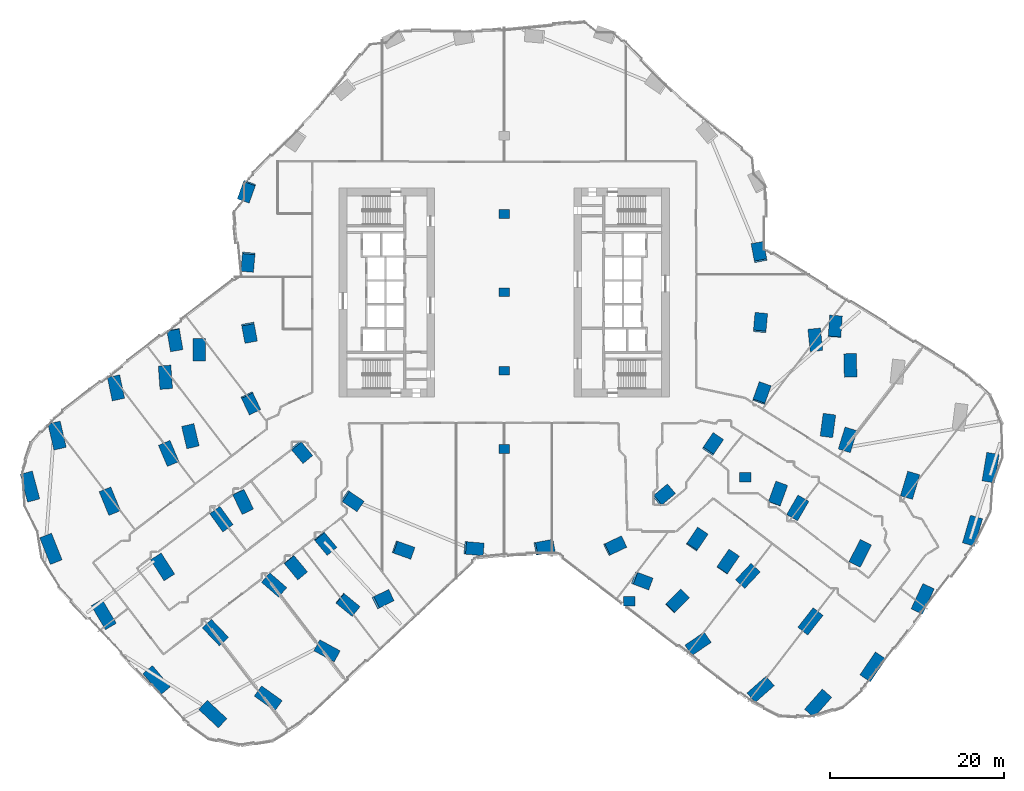
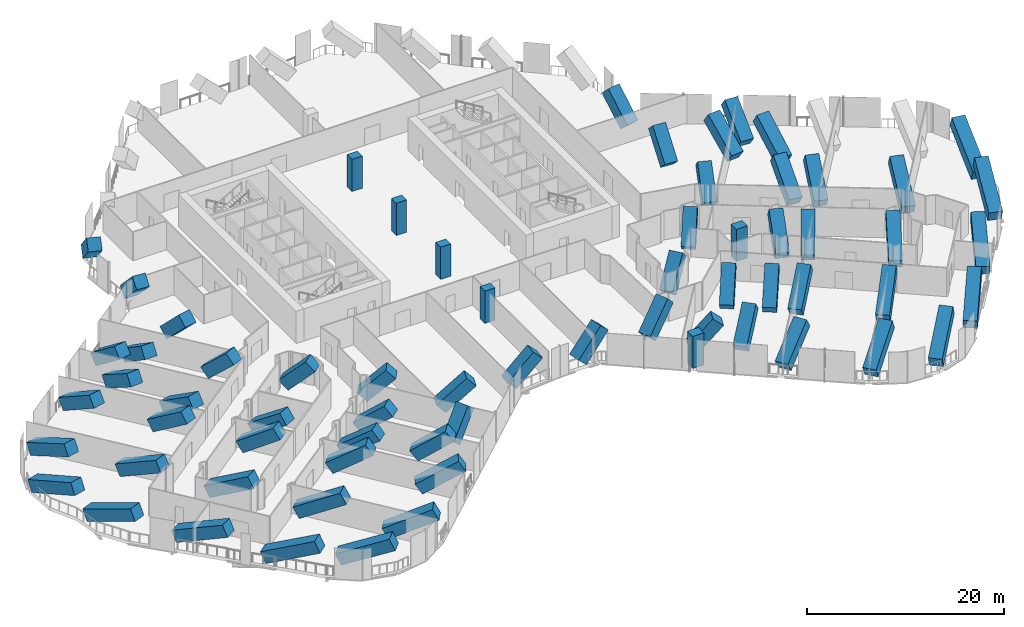
# One storey, part 1 of 32: 67 columns.
"""IFC4 building model written with IfcOpenShell, lengths in metres."""

from ifc_helpers import new_model, si_unit, direction, frame, origin, origin_2d, place, context, subcontext, project, spatial, rectangle, extrude, material, material_profile, profile_set, type_object, element, save


model = new_model("IFC4")

# Units and contexts
model_context = context("Model", 3, precision=1e-05, world=origin(), true_north=direction((0.0, 1.0)))
body_context = subcontext(model_context, "Body", "Model", "MODEL_VIEW")
ifc_project = project(units=[si_unit("LENGTHUNIT", "METRE"), si_unit("AREAUNIT", "SQUARE_METRE"), si_unit("VOLUMEUNIT", "CUBIC_METRE"), si_unit("PLANEANGLEUNIT", "RADIAN"), si_unit("MASSUNIT", "GRAM", prefix="KILO")], contexts=[model_context])

# Site, building, storey
site_placement = place(None, origin())
site = spatial("IfcSite", under=ifc_project, at=site_placement, CompositionType="ELEMENT")
building_placement = place(site_placement, origin())
building = spatial("IfcBuilding", under=site, at=building_placement, Name="Orlundy Tower", CompositionType="ELEMENT")
storey_placement = place(building_placement, frame((0.0, 0.0, 33.300048828125)))
storey = spatial("IfcBuildingStorey", under=building, at=storey_placement, Name="L06", CompositionType="ELEMENT", Elevation=33.300048828125)

# Columns
ifc_material_1 = material(Name="Concrete C80/95", Category="concrete")
ifc_material_profile_1 = material_profile(ifc_material_1, rectangle(XDim=1.199951171875, YDim=1.0, at=origin_2d()), Name="RC1200X1000")
ifc_profile_set_1 = profile_set([ifc_material_profile_1], Name="Concrete C80/95")
column_type_1 = type_object("IfcColumnType", Name="RC COLUMN RC1200X1000 C80/95", PredefinedType="COLUMN", material=ifc_profile_set_1)
for number, where, z_axis, x_axis, name in (
    (1, (0.0, -18.0, 0.0), (0.0, 0.0, 1.0), (1.0, 0.0, 0.0), "Column C-M1 L06"),
    (2, (0.0, -9.0, 0.0), (0.0, 0.0, 1.0), (1.0, 0.0, 0.0), "Column C-M2 L06"),
    (3, (0.0, 0.0, 0.0), (0.0, 0.0, 1.0), (1.0, 0.0, 0.0), "Column C-M3 L06"),
    (4, (0.0, 9.0, 0.0), (0.0, 0.0, 1.0), (1.0, 0.0, 0.0), "Column C-M4 L06"),
):
    element("IfcColumn", number, at=place(storey_placement, frame(where, z_axis=z_axis, x_axis=x_axis)), inside=storey, type_object=column_type_1, Name=name, PredefinedType="COLUMN", context=body_context, shape_type="SweptSolid", body=[
        extrude(rectangle(XDim=1.199951171875, YDim=1.0, at=origin_2d()), origin(), (0.0, 0.0, 1.0), 4.0),
    ])
ifc_material_2 = material(Name="Concrete C80/95", Category="concrete")
ifc_material_profile_2 = material_profile(ifc_material_2, rectangle(XDim=1.300048828125, YDim=1.10009765625, at=origin_2d()), Name="RC1300X1100")
ifc_profile_set_2 = profile_set([ifc_material_profile_2], Name="Concrete C80/95")
column_type_2 = type_object("IfcColumnType", Name="RC COLUMN RC1300X1100 C80/95", PredefinedType="COLUMN", material=ifc_profile_set_2)
for number, where, z_axis, x_axis, name in (
    (5, (14.37109375, -35.47998046875, 0.0), (0.0, 0.0, 1.0), (1.0, 0.0, 0.0), "Column C-A1-1 L06"),
    (6, (27.68798828125, -21.24609375, 0.0), (0.0, 0.0, 1.0), (1.0, 0.0, 0.0), "Column C-A3-7 L06"),
):
    element("IfcColumn", number, at=place(storey_placement, frame(where, z_axis=z_axis, x_axis=x_axis)), inside=storey, type_object=column_type_2, Name=name, PredefinedType="COLUMN", context=body_context, shape_type="SweptSolid", body=[
        extrude(rectangle(XDim=1.300048828125, YDim=1.10009765625, at=origin_2d()), origin(), (0.0, 0.0, 1.0), 4.0),
    ])
ifc_material_3 = material(Name="Concrete C80/95", Category="concrete")
ifc_material_profile_3 = material_profile(ifc_material_3, rectangle(XDim=1.449951171875, YDim=1.449951171875, at=origin_2d()), Name="RC1450X1450")
ifc_profile_set_3 = profile_set([ifc_material_profile_3], Name="Concrete C80/95")
column_type_3 = type_object("IfcColumnType", Name="RC COLUMN RC1450X1450 C80/95", PredefinedType="COLUMN", material=ifc_profile_set_3)
column_1_placement = place(storey_placement, frame((21.48388671875, -40.93896484375, 0.614501953125), z_axis=(0.699835860941, 0.478306093724, 0.530521487263), x_axis=(-0.564258796598, 0.82559797145, 0.0)))
element("IfcColumn", 7, at=column_1_placement, inside=storey, type_object=column_type_3, Name="Column C-A1-2 L06 strut", PredefinedType="COLUMN", context=body_context, shape_type="SweptSolid", body=[
    extrude(rectangle(XDim=1.449951171875, YDim=1.449951171875, at=origin_2d()), origin(), (0.0, 0.0, 1.0), 5.22265625),
])
column_2_placement = place(storey_placement, frame((28.597900390625, -46.39697265625, 0.641357421875), z_axis=(0.66484395057, 0.583878759436, 0.465905693967), x_axis=(-0.659873498397, 0.751376713848, 0.0)))
element("IfcColumn", 8, at=column_2_placement, inside=storey, type_object=column_type_3, Name="Column C-A1-3 L06 strut", PredefinedType="COLUMN", context=body_context, shape_type="SweptSolid", body=[
    extrude(rectangle(XDim=1.449951171875, YDim=1.449951171875, at=origin_2d()), origin(), (0.0, 0.0, 1.0), 5.831787109375),
])
column_3_placement = place(storey_placement, frame((35.23095703125, -48.200927734375, 0.654541015625), z_axis=(0.596874433276, 0.677513116755, 0.429787025777), x_axis=(-0.750349304535, 0.661041542706, 0.0)))
element("IfcColumn", 9, at=column_3_placement, inside=storey, type_object=column_type_3, Name="Column C-A1-5 L06 strut", PredefinedType="COLUMN", context=body_context, shape_type="SweptSolid", body=[
    extrude(rectangle(XDim=1.449951171875, YDim=1.449951171875, at=origin_2d()), origin(), (0.0, 0.0, 1.0), 6.260986328125),
])
column_4_placement = place(storey_placement, frame((19.364013671875, -36.02587890625, 0.573974609375), z_axis=(0.559599128352, 0.560226540249, 0.610733198008), x_axis=(-0.707502845384, 0.706710495021, 0.0)))
element("IfcColumn", 10, at=column_4_placement, inside=storey, type_object=column_type_3, Name="Column C-A1-6 L06 strut", PredefinedType="COLUMN", context=body_context, shape_type="SweptSolid", body=[
    extrude(rectangle(XDim=1.449951171875, YDim=1.449951171875, at=origin_2d()), origin(), (0.0, 0.0, 1.0), 4.66943359375),
])
column_5_placement = place(storey_placement, frame((15.39697265625, -32.98193359375, 0.465576171875), z_axis=(0.601168412717, -0.226284205253, 0.766415029866), x_axis=(0.352277915525, 0.93589543766, 0.0)))
element("IfcColumn", 11, at=column_5_placement, inside=storey, type_object=column_type_3, Name="Column C-A1-7 L06 strut", PredefinedType="COLUMN", context=body_context, shape_type="SweptSolid", body=[
    extrude(rectangle(XDim=1.449951171875, YDim=1.449951171875, at=origin_2d()), origin(), (0.0, 0.0, 1.0), 4.00390625),
])
column_6_placement = place(storey_placement, frame((27.388916015625, -33.242919921875, 0.6025390625), z_axis=(0.569969065996, 0.605170324437, 0.555791455699), x_axis=(-0.727961612842, 0.685617889373, 0.0)))
element("IfcColumn", 12, at=column_6_placement, inside=storey, type_object=column_type_3, Name="Column C-A2-2 L06 strut", PredefinedType="COLUMN", context=body_context, shape_type="SweptSolid", body=[
    extrude(rectangle(XDim=1.449951171875, YDim=1.449951171875, at=origin_2d()), origin(), (0.0, 0.0, 1.0), 5.0283203125),
])
column_7_placement = place(storey_placement, frame((34.5029296875, -38.701904296875, 0.636962890625), z_axis=(0.541117976568, 0.69200623164, 0.477827072073), x_axis=(-0.78775473141, 0.615989028426, 0.0)))
element("IfcColumn", 13, at=column_7_placement, inside=storey, type_object=column_type_3, Name="Column C-A2-3 L06 strut", PredefinedType="COLUMN", context=body_context, shape_type="SweptSolid", body=[
    extrude(rectangle(XDim=1.449951171875, YDim=1.449951171875, at=origin_2d()), origin(), (0.0, 0.0, 1.0), 5.705078125),
])
column_8_placement = place(storey_placement, frame((41.616943359375, -44.159912109375, 0.659423828125), z_axis=(0.512352155116, 0.751659115504, 0.415335819823), x_axis=(-0.826300348435, 0.563229734811, 0.0)))
element("IfcColumn", 14, at=column_8_placement, inside=storey, type_object=column_type_3, Name="Column C-A2-5 L06 strut", PredefinedType="COLUMN", context=body_context, shape_type="SweptSolid", body=[
    extrude(rectangle(XDim=1.449951171875, YDim=1.449951171875, at=origin_2d()), origin(), (0.0, 0.0, 1.0), 6.454833984375),
])
column_9_placement = place(storey_placement, frame((25.27392578125, -31.6201171875, 0.583251953125), z_axis=(0.450601018397, 0.666355112745, 0.594078770819), x_axis=(-0.828380682455, 0.560165551364, 0.0)))
element("IfcColumn", 15, at=column_9_placement, inside=storey, type_object=column_type_3, Name="Column C-A2-6 L06 strut", PredefinedType="COLUMN", context=body_context, shape_type="SweptSolid", body=[
    extrude(rectangle(XDim=1.449951171875, YDim=1.449951171875, at=origin_2d()), origin(), (0.0, 0.0, 1.0), 4.76953125),
])
column_10_placement = place(storey_placement, frame((21.782958984375, -28.94091796875, 0.552001953125), z_axis=(0.425847814082, 0.631092139827, 0.648364365376), x_axis=(-0.828933559632, 0.559347078044, 0.0)))
element("IfcColumn", 16, at=column_10_placement, inside=storey, type_object=column_type_3, Name="Column C-A2-7 L06 strut", PredefinedType="COLUMN", context=body_context, shape_type="SweptSolid", body=[
    extrude(rectangle(XDim=1.449951171875, YDim=1.449951171875, at=origin_2d()), origin(), (0.0, 0.0, 1.0), 4.466552734375),
])
column_11_placement = place(storey_placement, frame((33.2939453125, -25.548095703125, 0.600830078125), z_axis=(0.415263925558, 0.717340610475, 0.559444653825), x_axis=(-0.865446442826, 0.501001451695, 0.0)))
element("IfcColumn", 17, at=column_11_placement, inside=storey, type_object=column_type_3, Name="Column C-A3-2 L06 strut", PredefinedType="COLUMN", context=body_context, shape_type="SweptSolid", body=[
    extrude(rectangle(XDim=1.449951171875, YDim=1.449951171875, at=origin_2d()), origin(), (0.0, 0.0, 1.0), 5.001953125),
])
column_12_placement = place(storey_placement, frame((40.407958984375, -31.006103515625, 0.637939453125), z_axis=(0.400711857271, 0.78345915449, 0.474996590187), x_axis=(-0.890307002668, 0.455360781141, 0.0)))
element("IfcColumn", 18, at=column_12_placement, inside=storey, type_object=column_type_3, Name="Column C-A3-3 L06 strut", PredefinedType="COLUMN", context=body_context, shape_type="SweptSolid", body=[
    extrude(rectangle(XDim=1.449951171875, YDim=1.449951171875, at=origin_2d()), origin(), (0.0, 0.0, 1.0), 5.735107421875),
])
column_13_placement = place(storey_placement, frame((47.52197265625, -36.465087890625, 0.6611328125), z_axis=(0.385700751852, 0.82653899246, 0.409961246905), x_axis=(-0.90619046906, 0.422869759837, 0.0)))
element("IfcColumn", 19, at=column_13_placement, inside=storey, type_object=column_type_3, Name="Column C-A3-5 L06 strut", PredefinedType="COLUMN", context=body_context, shape_type="SweptSolid", body=[
    extrude(rectangle(XDim=1.449951171875, YDim=1.449951171875, at=origin_2d()), origin(), (0.0, 0.0, 1.0), 6.531005859375),
])
column_14_placement = place(storey_placement, frame((31.178955078125, -23.924072265625, 0.5908203125), z_axis=(0.279657049767, 0.765530427024, 0.579443784862), x_axis=(-0.939287067036, 0.343132344292, 0.0)))
element("IfcColumn", 20, at=column_14_placement, inside=storey, type_object=column_type_3, Name="Column C-A3-6 L06 strut", PredefinedType="COLUMN", context=body_context, shape_type="SweptSolid", body=[
    extrude(rectangle(XDim=1.449951171875, YDim=1.449951171875, at=origin_2d()), origin(), (0.0, 0.0, 1.0), 4.863525390625),
])
column_15_placement = place(storey_placement, frame((39.198974609375, -17.85205078125, 0.610107421875), z_axis=(0.25036864759, 0.80335307715, 0.540314143566), x_axis=(-0.954709488998, 0.297539563114, 0.0)))
element("IfcColumn", 21, at=column_15_placement, inside=storey, type_object=column_type_3, Name="Column C-A4-2 L06 strut", PredefinedType="COLUMN", context=body_context, shape_type="SweptSolid", body=[
    extrude(rectangle(XDim=1.449951171875, YDim=1.449951171875, at=origin_2d()), origin(), (0.0, 0.0, 1.0), 5.144775390625),
])
column_16_placement = place(storey_placement, frame((46.31298828125, -23.31103515625, 0.644287109375), z_axis=(0.255000909498, 0.851515737267, 0.458143520463), x_axis=(-0.957966687466, 0.286879461978, 0.0)))
element("IfcColumn", 22, at=column_16_placement, inside=storey, type_object=column_type_3, Name="Column C-A4-3 L06 strut", PredefinedType="COLUMN", context=body_context, shape_type="SweptSolid", body=[
    extrude(rectangle(XDim=1.449951171875, YDim=1.449951171875, at=origin_2d()), origin(), (0.0, 0.0, 1.0), 5.917724609375),
])
column_17_placement = place(storey_placement, frame((53.427001953125, -28.76904296875, 0.665771484375), z_axis=(0.256655259317, 0.881704625679, 0.39588512339), x_axis=(-0.960148736075, 0.279489542942, 0.0)))
element("IfcColumn", 23, at=column_17_placement, inside=storey, type_object=column_type_3, Name="Column C-A4-5 L06 strut", PredefinedType="COLUMN", context=body_context, shape_type="SweptSolid", body=[
    extrude(rectangle(XDim=1.449951171875, YDim=1.449951171875, at=origin_2d()), origin(), (0.0, 0.0, 1.0), 6.740478515625),
])
column_18_placement = place(storey_placement, frame((37.083984375, -16.22900390625, 0.60888671875), z_axis=(0.111371211993, 0.832593849041, 0.54257159498), x_axis=(-0.991171870731, 0.132583266936, 0.0)))
element("IfcColumn", 24, at=column_18_placement, inside=storey, type_object=column_type_3, Name="Column C-A4-6 L06 strut", PredefinedType="COLUMN", context=body_context, shape_type="SweptSolid", body=[
    extrude(rectangle(XDim=1.449951171875, YDim=1.449951171875, at=origin_2d()), origin(), (0.0, 0.0, 1.0), 5.12744140625),
])
column_19_placement = place(storey_placement, frame((37.990966796875, -4.697998046875, 0.579833984375), z_axis=(0.05877094081, 0.797612996518, 0.600299495503), x_axis=(-0.997296372794, 0.073484316769, 0.0)))
element("IfcColumn", 25, at=column_19_placement, inside=storey, type_object=column_type_3, Name="Column C-A5-1 L06 strut", PredefinedType="COLUMN", context=body_context, shape_type="SweptSolid", body=[
    extrude(rectangle(XDim=1.449951171875, YDim=1.449951171875, at=origin_2d()), origin(), (0.0, 0.0, 1.0), 4.7314453125),
])
column_20_placement = place(storey_placement, frame((55.677001953125, -21.554931640625, 0.666259765625), z_axis=(0.148964077478, 0.906712741166, 0.394565214672), x_axis=(-0.986771549623, 0.162116960419, 0.0)))
element("IfcColumn", 26, at=column_20_placement, inside=storey, type_object=column_type_3, Name="Column C-A5-5 L06 strut", PredefinedType="COLUMN", context=body_context, shape_type="SweptSolid", body=[
    extrude(rectangle(XDim=1.449951171875, YDim=1.449951171875, at=origin_2d()), origin(), (0.0, 0.0, 1.0), 6.760498046875),
])
column_21_placement = place(storey_placement, frame((39.81005859375, -9.3798828125, 0.617919921875), z_axis=(-0.022355527015, 0.852096616474, 0.522906862267), x_axis=(-0.999656016178, -0.026226881604, 0.0)))
element("IfcColumn", 27, at=column_21_placement, inside=storey, type_object=column_type_3, Name="Column C-A5-6 L06 strut", PredefinedType="COLUMN", context=body_context, shape_type="SweptSolid", body=[
    extrude(rectangle(XDim=1.449951171875, YDim=1.449951171875, at=origin_2d()), origin(), (0.0, 0.0, 1.0), 5.28564453125),
])
column_22_placement = place(storey_placement, frame((35.843017578125, -6.3359375, 0.599365234375), z_axis=(-0.080107774453, 0.822894121297, 0.562519341541), x_axis=(-0.995295018117, -0.096890798904, 0.0)))
element("IfcColumn", 28, at=column_22_placement, inside=storey, type_object=column_type_3, Name="Column C-A5-7 L06 strut", PredefinedType="COLUMN", context=body_context, shape_type="SweptSolid", body=[
    extrude(rectangle(XDim=1.449951171875, YDim=1.449951171875, at=origin_2d()), origin(), (0.0, 0.0, 1.0), 4.97998046875),
])
column_23_placement = place(storey_placement, frame((-37.990966796875, -4.697998046875, 0.579833984375), z_axis=(0.137353584737, -0.787899789229, 0.600289859063), x_axis=(0.985142543064, 0.171738667298, 0.0)))
element("IfcColumn", 29, at=column_23_placement, inside=storey, type_object=column_type_3, Name="Column C-B1-1 L06 strut", PredefinedType="COLUMN", context=body_context, shape_type="SweptSolid", body=[
    extrude(rectangle(XDim=1.449951171875, YDim=1.449951171875, at=origin_2d()), origin(), (0.0, 0.0, 1.0), 4.731689453125),
])
column_24_placement = place(storey_placement, frame((-44.840087890625, -9.9541015625, 0.6259765625), z_axis=(0.175985891109, -0.845431202961, 0.504256925773), x_axis=(0.979014073613, 0.20379264871, 0.0)))
element("IfcColumn", 30, at=column_24_placement, inside=storey, type_object=column_type_3, Name="Column C-B1-2 L06 strut", PredefinedType="COLUMN", context=body_context, shape_type="SweptSolid", body=[
    extrude(rectangle(XDim=1.449951171875, YDim=1.449951171875, at=origin_2d()), origin(), (0.0, 0.0, 1.0), 5.44921875),
])
column_25_placement = place(storey_placement, frame((-51.68701171875, -15.2119140625, 0.654052734375), z_axis=(0.20296345223, -0.878973423379, 0.431522372598), x_axis=(0.974361208205, 0.224989412964, 0.0)))
element("IfcColumn", 31, at=column_25_placement, inside=storey, type_object=column_type_3, Name="Column C-B1-3 L06 strut", PredefinedType="COLUMN", context=body_context, shape_type="SweptSolid", body=[
    extrude(rectangle(XDim=1.449951171875, YDim=1.449951171875, at=origin_2d()), origin(), (0.0, 0.0, 1.0), 6.238037109375),
])
column_26_placement = place(storey_placement, frame((-54.884033203125, -20.946044921875, 0.666259765625), z_axis=(0.237851709207, -0.887565661499, 0.394529797296), x_axis=(0.965917879508, 0.258848701071, 0.0)))
element("IfcColumn", 32, at=column_26_placement, inside=storey, type_object=column_type_3, Name="Column C-B1-5 L06 strut", PredefinedType="COLUMN", context=body_context, shape_type="SweptSolid", body=[
    extrude(rectangle(XDim=1.449951171875, YDim=1.449951171875, at=origin_2d()), origin(), (0.0, 0.0, 1.0), 6.76123046875),
])
column_27_placement = place(storey_placement, frame((-39.01611328125, -8.77099609375, 0.617919921875), z_axis=(0.06189008129, -0.85015725844, 0.522878813647), x_axis=(0.997360682952, 0.072606253879, 0.0)))
element("IfcColumn", 33, at=column_27_placement, inside=storey, type_object=column_type_3, Name="Column C-B1-6 L06 strut", PredefinedType="COLUMN", context=body_context, shape_type="SweptSolid", body=[
    extrude(rectangle(XDim=1.449951171875, YDim=1.449951171875, at=origin_2d()), origin(), (0.0, 0.0, 1.0), 5.285888671875),
])
column_28_placement = place(storey_placement, frame((-35.050048828125, -5.72705078125, 0.599365234375), z_axis=(0.001617929852, -0.826762154334, 0.562549306697), x_axis=(0.999998085184, 0.001956943415, 0.0)))
element("IfcColumn", 34, at=column_28_placement, inside=storey, type_object=column_type_3, Name="Column C-B1-7 L06 strut", PredefinedType="COLUMN", context=body_context, shape_type="SweptSolid", body=[
    extrude(rectangle(XDim=1.449951171875, YDim=1.449951171875, at=origin_2d()), origin(), (0.0, 0.0, 1.0), 4.9794921875),
])
column_29_placement = place(storey_placement, frame((-38.93505859375, -17.64892578125, 0.610107421875), z_axis=(0.328456976926, -0.774735201136, 0.540278985737), x_axis=(0.920675138709, 0.390329718267, 0.0)))
element("IfcColumn", 35, at=column_29_placement, inside=storey, type_object=column_type_3, Name="Column C-B2-2 L06 strut", PredefinedType="COLUMN", context=body_context, shape_type="SweptSolid", body=[
    extrude(rectangle(XDim=1.449951171875, YDim=1.449951171875, at=origin_2d()), origin(), (0.0, 0.0, 1.0), 5.14501953125),
])
column_30_placement = place(storey_placement, frame((-45.783935546875, -22.905029296875, 0.644287109375), z_axis=(0.337825549268, -0.822160444585, 0.45817693266), x_axis=(0.924959508437, 0.380065662422, 0.0)))
element("IfcColumn", 36, at=column_30_placement, inside=storey, type_object=column_type_3, Name="Column C-B2-3 L06 strut", PredefinedType="COLUMN", context=body_context, shape_type="SweptSolid", body=[
    extrude(rectangle(XDim=1.449951171875, YDim=1.449951171875, at=origin_2d()), origin(), (0.0, 0.0, 1.0), 5.917236328125),
])
column_31_placement = place(storey_placement, frame((-52.633056640625, -28.160888671875, 0.665771484375), z_axis=(0.342432498317, -0.852060724604, 0.395894563846), x_axis=(0.927871568112, 0.372899923692, 0.0)))
element("IfcColumn", 37, at=column_31_placement, inside=storey, type_object=column_type_3, Name="Column C-B2-5 L06 strut", PredefinedType="COLUMN", context=body_context, shape_type="SweptSolid", body=[
    extrude(rectangle(XDim=1.449951171875, YDim=1.449951171875, at=origin_2d()), origin(), (0.0, 0.0, 1.0), 6.740234375),
])
column_32_placement = place(storey_placement, frame((-36.2900390625, -15.6201171875, 0.60888671875), z_axis=(0.193103863156, -0.817465083831, 0.542643284997), x_axis=(0.973215294327, 0.229895608674, 0.0)))
element("IfcColumn", 38, at=column_32_placement, inside=storey, type_object=column_type_3, Name="Column C-B2-6 L06 strut", PredefinedType="COLUMN", context=body_context, shape_type="SweptSolid", body=[
    extrude(rectangle(XDim=1.449951171875, YDim=1.449951171875, at=origin_2d()), origin(), (0.0, 0.0, 1.0), 5.126708984375),
])
column_33_placement = place(storey_placement, frame((-33.030029296875, -25.344970703125, 0.600830078125), z_axis=(0.484075605361, -0.672785526742, 0.559491236125), x_axis=(0.811723079597, 0.584042500208, 0.0)))
element("IfcColumn", 39, at=column_33_placement, inside=storey, type_object=column_type_3, Name="Column C-B3-2 L06 strut", PredefinedType="COLUMN", context=body_context, shape_type="SweptSolid", body=[
    extrude(rectangle(XDim=1.449951171875, YDim=1.449951171875, at=origin_2d()), origin(), (0.0, 0.0, 1.0), 5.00146484375),
])
column_34_placement = place(storey_placement, frame((-39.87890625, -30.60009765625, 0.637939453125), z_axis=(0.476003991751, -0.740143212715, 0.474982341259), x_axis=(0.841076298964, 0.540916499397, 0.0)))
element("IfcColumn", 40, at=column_34_placement, inside=storey, type_object=column_type_3, Name="Column C-B3-3 L06 strut", PredefinedType="COLUMN", context=body_context, shape_type="SweptSolid", body=[
    extrude(rectangle(XDim=1.449951171875, YDim=1.449951171875, at=origin_2d()), origin(), (0.0, 0.0, 1.0), 5.735107421875),
])
column_35_placement = place(storey_placement, frame((-46.72900390625, -35.85595703125, 0.6611328125), z_axis=(0.465465031922, -0.78439754496, 0.409954626171), x_axis=(0.859985150882, 0.510319057319, 0.0)))
element("IfcColumn", 41, at=column_35_placement, inside=storey, type_object=column_type_3, Name="Column C-B3-5 L06 strut", PredefinedType="COLUMN", context=body_context, shape_type="SweptSolid", body=[
    extrude(rectangle(XDim=1.449951171875, YDim=1.449951171875, at=origin_2d()), origin(), (0.0, 0.0, 1.0), 6.53125),
])
column_36_placement = place(storey_placement, frame((-30.385009765625, -23.31591796875, 0.5908203125), z_axis=(0.353875242444, -0.734106635021, 0.579534089768), x_axis=(0.90080181457, 0.434230458244, 0.0)))
element("IfcColumn", 42, at=column_36_placement, inside=storey, type_object=column_type_3, Name="Column C-B3-6 L06 strut", PredefinedType="COLUMN", context=body_context, shape_type="SweptSolid", body=[
    extrude(rectangle(XDim=1.449951171875, YDim=1.449951171875, at=origin_2d()), origin(), (0.0, 0.0, 1.0), 4.863037109375),
])
column_37_placement = place(storey_placement, frame((-27.125, -33.0400390625, 0.6025390625), z_axis=(0.626915434331, -0.545922874152, 0.555828439066), x_axis=(0.656712169931, 0.754141316906, 0.0)))
element("IfcColumn", 43, at=column_37_placement, inside=storey, type_object=column_type_3, Name="Column C-B4-2 L06 strut", PredefinedType="COLUMN", context=body_context, shape_type="SweptSolid", body=[
    extrude(rectangle(XDim=1.449951171875, YDim=1.449951171875, at=origin_2d()), origin(), (0.0, 0.0, 1.0), 5.02783203125),
])
column_38_placement = place(storey_placement, frame((-33.97412109375, -38.2958984375, 0.636962890625), z_axis=(0.606713355896, -0.635258027433, 0.477855775689), x_axis=(0.723167492828, 0.690672699125, 0.0)))
element("IfcColumn", 44, at=column_38_placement, inside=storey, type_object=column_type_3, Name="Column C-B4-3 L06 strut", PredefinedType="COLUMN", context=body_context, shape_type="SweptSolid", body=[
    extrude(rectangle(XDim=1.449951171875, YDim=1.449951171875, at=origin_2d()), origin(), (0.0, 0.0, 1.0), 5.704833984375),
])
column_39_placement = place(storey_placement, frame((-40.823974609375, -43.552001953125, 0.659423828125), z_axis=(0.584139953455, -0.697367651282, 0.415281679975), x_axis=(0.766596805008, 0.642128755431, 0.0)))
element("IfcColumn", 45, at=column_39_placement, inside=storey, type_object=column_type_3, Name="Column C-B4-5 L06 strut", PredefinedType="COLUMN", context=body_context, shape_type="SweptSolid", body=[
    extrude(rectangle(XDim=1.449951171875, YDim=1.449951171875, at=origin_2d()), origin(), (0.0, 0.0, 1.0), 6.45556640625),
])
column_40_placement = place(storey_placement, frame((-24.47998046875, -31.010986328125, 0.5830078125), z_axis=(0.514125147633, -0.618557618127, 0.594190041678), x_axis=(0.769039707257, 0.639201008026, 0.0)))
element("IfcColumn", 46, at=column_40_placement, inside=storey, type_object=column_type_3, Name="Column C-B4-6 L06 strut", PredefinedType="COLUMN", context=body_context, shape_type="SweptSolid", body=[
    extrude(rectangle(XDim=1.449951171875, YDim=1.449951171875, at=origin_2d()), origin(), (0.0, 0.0, 1.0), 4.76904296875),
])
column_41_placement = place(storey_placement, frame((-20.989990234375, -28.3330078125, 0.552001953125), z_axis=(0.48599783766, -0.586072291187, 0.648325050644), x_axis=(0.769766563569, 0.638325495035, 0.0)))
element("IfcColumn", 47, at=column_41_placement, inside=storey, type_object=column_type_3, Name="Column C-B4-7 L06 strut", PredefinedType="COLUMN", context=body_context, shape_type="SweptSolid", body=[
    extrude(rectangle(XDim=1.449951171875, YDim=1.449951171875, at=origin_2d()), origin(), (0.0, 0.0, 1.0), 4.466796875),
])
column_42_placement = place(storey_placement, frame((-14.37109375, -35.47998046875, 0.465576171875), z_axis=(0.575966078213, 0.284446512266, 0.7663897562), x_axis=(-0.44280386504, 0.896618501429, 0.0)))
element("IfcColumn", 48, at=column_42_placement, inside=storey, type_object=column_type_3, Name="Column C-B5-1 L06 strut", PredefinedType="COLUMN", context=body_context, shape_type="SweptSolid", body=[
    extrude(rectangle(XDim=1.449951171875, YDim=1.449951171875, at=origin_2d()), origin(), (0.0, 0.0, 1.0), 4.00390625),
])
column_43_placement = place(storey_placement, frame((-21.219970703125, -40.736083984375, 0.614501953125), z_axis=(0.743612862638, -0.406754599494, 0.530651115432), x_axis=(0.479895272144, 0.877325782007, 0.0)))
element("IfcColumn", 49, at=column_43_placement, inside=storey, type_object=column_type_3, Name="Column C-B5-2 L06 strut", PredefinedType="COLUMN", context=body_context, shape_type="SweptSolid", body=[
    extrude(rectangle(XDim=1.449951171875, YDim=1.449951171875, at=origin_2d()), origin(), (0.0, 0.0, 1.0), 5.221923828125),
])
column_44_placement = place(storey_placement, frame((-28.072021484375, -45.988037109375, 0.641357421875), z_axis=(0.719277998117, -0.515378613328, 0.465858397314), x_axis=(0.582441324018, 0.812872747775, 0.0)))
element("IfcColumn", 50, at=column_44_placement, inside=storey, type_object=column_type_3, Name="Column C-B5-3 L06 strut", PredefinedType="COLUMN", context=body_context, shape_type="SweptSolid", body=[
    extrude(rectangle(XDim=1.449951171875, YDim=1.449951171875, at=origin_2d()), origin(), (0.0, 0.0, 1.0), 5.832275390625),
])
column_45_placement = place(storey_placement, frame((-34.43701171875, -47.592041015625, 0.654541015625), z_axis=(0.660892308039, -0.615231508422, 0.42978081416), x_axis=(0.681369867864, 0.731939275601, 0.0)))
element("IfcColumn", 51, at=column_45_placement, inside=storey, type_object=column_type_3, Name="Column C-B5-5 L06 strut", PredefinedType="COLUMN", context=body_context, shape_type="SweptSolid", body=[
    extrude(rectangle(XDim=1.449951171875, YDim=1.449951171875, at=origin_2d()), origin(), (0.0, 0.0, 1.0), 6.26123046875),
])
column_46_placement = place(storey_placement, frame((-18.570068359375, -35.4169921875, 0.573974609375), z_axis=(0.612119529002, -0.502213041434, 0.610812363356), x_axis=(0.634287264239, 0.7730974495, 0.0)))
element("IfcColumn", 52, at=column_46_placement, inside=storey, type_object=column_type_3, Name="Column C-B5-6 L06 strut", PredefinedType="COLUMN", context=body_context, shape_type="SweptSolid", body=[
    extrude(rectangle(XDim=1.449951171875, YDim=1.449951171875, at=origin_2d()), origin(), (0.0, 0.0, 1.0), 4.669189453125),
])
column_47_placement = place(storey_placement, frame((29.39990234375, 4.05908203125, 0.50830078125), z_axis=(-0.130006651481, 0.68901191234, 0.712994288353), x_axis=(-0.98266050942, -0.185413924034, 0.0)))
element("IfcColumn", 53, at=column_47_placement, inside=storey, type_object=column_type_3, Name="Column C-H02 L06 strut", PredefinedType="COLUMN", context=body_context, shape_type="SweptSolid", body=[
    extrude(rectangle(XDim=1.449951171875, YDim=1.449951171875, at=origin_2d()), origin(), (0.0, 0.0, 1.0), 4.18408203125),
])
column_48_placement = place(storey_placement, frame((29.39990234375, -4.05908203125, 0.50830078125), z_axis=(0.061436713661, 0.698558188668, 0.712910925193), x_axis=(-0.99615487667, 0.08760971228, 0.0)))
element("IfcColumn", 54, at=column_48_placement, inside=storey, type_object=column_type_3, Name="Column C-H03 L06 strut", PredefinedType="COLUMN", context=body_context, shape_type="SweptSolid", body=[
    extrude(rectangle(XDim=1.449951171875, YDim=1.449951171875, at=origin_2d()), origin(), (0.0, 0.0, 1.0), 4.1845703125),
])
column_49_placement = place(storey_placement, frame((29.39990234375, -12.177978515625, 0.529541015625), z_axis=(0.24591316534, 0.687967306264, 0.682808685229), x_axis=(-0.941650592778, 0.33659198018, 0.0)))
element("IfcColumn", 55, at=column_49_placement, inside=storey, type_object=column_type_3, Name="Column C-H04 L06 strut", PredefinedType="COLUMN", context=body_context, shape_type="SweptSolid", body=[
    extrude(rectangle(XDim=1.449951171875, YDim=1.449951171875, at=origin_2d()), origin(), (0.0, 0.0, 1.0), 4.306640625),
])
column_50_placement = place(storey_placement, frame((23.658935546875, -17.9189453125, 0.50830078125), z_axis=(0.395280825563, 0.579239562537, 0.712905742812), x_axis=(-0.825998448397, 0.563672389997, 0.0)))
element("IfcColumn", 56, at=column_50_placement, inside=storey, type_object=column_type_3, Name="Column C-H05 L06 strut", PredefinedType="COLUMN", context=body_context, shape_type="SweptSolid", body=[
    extrude(rectangle(XDim=1.449951171875, YDim=1.449951171875, at=origin_2d()), origin(), (0.0, 0.0, 1.0), 4.1845703125),
])
column_51_placement = place(storey_placement, frame((17.9189453125, -23.658935546875, 0.50830078125), z_axis=(0.537268679687, 0.450505155937, 0.713012952408), x_axis=(-0.642522431446, 0.766266875891, 0.0)))
element("IfcColumn", 57, at=column_51_placement, inside=storey, type_object=column_type_3, Name="Column C-H06 L06 strut", PredefinedType="COLUMN", context=body_context, shape_type="SweptSolid", body=[
    extrude(rectangle(XDim=1.449951171875, YDim=1.449951171875, at=origin_2d()), origin(), (0.0, 0.0, 1.0), 4.184326171875),
])
column_52_placement = place(storey_placement, frame((12.177978515625, -29.39990234375, 0.529541015625), z_axis=(0.660215598589, 0.312560635038, 0.682950373603), x_axis=(-0.427892823623, 0.903829481424, 0.0)))
element("IfcColumn", 58, at=column_52_placement, inside=storey, type_object=column_type_3, Name="Column C-H07 L06 strut", PredefinedType="COLUMN", context=body_context, shape_type="SweptSolid", body=[
    extrude(rectangle(XDim=1.449951171875, YDim=1.449951171875, at=origin_2d()), origin(), (0.0, 0.0, 1.0), 4.30615234375),
])
column_53_placement = place(storey_placement, frame((4.05908203125, -29.39990234375, 0.50830078125), z_axis=(0.68901191234, 0.130006651481, 0.712994288353), x_axis=(-0.185413924034, 0.98266050942, 0.0)))
element("IfcColumn", 59, at=column_53_placement, inside=storey, type_object=column_type_3, Name="Column C-H08 L06 strut", PredefinedType="COLUMN", context=body_context, shape_type="SweptSolid", body=[
    extrude(rectangle(XDim=1.449951171875, YDim=1.449951171875, at=origin_2d()), origin(), (0.0, 0.0, 1.0), 4.18408203125),
])
column_54_placement = place(storey_placement, frame((-4.05908203125, -29.39990234375, 0.50830078125), z_axis=(0.698558188668, -0.061436713661, 0.712910925193), x_axis=(0.08760971228, 0.99615487667, 0.0)))
element("IfcColumn", 60, at=column_54_placement, inside=storey, type_object=column_type_3, Name="Column C-H09 L06 strut", PredefinedType="COLUMN", context=body_context, shape_type="SweptSolid", body=[
    extrude(rectangle(XDim=1.449951171875, YDim=1.449951171875, at=origin_2d()), origin(), (0.0, 0.0, 1.0), 4.1845703125),
])
column_55_placement = place(storey_placement, frame((-12.177978515625, -29.39990234375, 0.529541015625), z_axis=(0.687967306264, -0.24591316534, 0.682808685229), x_axis=(0.33659198018, 0.941650592778, 0.0)))
element("IfcColumn", 61, at=column_55_placement, inside=storey, type_object=column_type_3, Name="Column C-H10 L06 strut", PredefinedType="COLUMN", context=body_context, shape_type="SweptSolid", body=[
    extrude(rectangle(XDim=1.449951171875, YDim=1.449951171875, at=origin_2d()), origin(), (0.0, 0.0, 1.0), 4.306640625),
])
column_56_placement = place(storey_placement, frame((-17.9189453125, -23.658935546875, 0.50830078125), z_axis=(0.579239562537, -0.395280825563, 0.712905742812), x_axis=(0.563672389997, 0.825998448397, 0.0)))
element("IfcColumn", 62, at=column_56_placement, inside=storey, type_object=column_type_3, Name="Column C-H11 L06 strut", PredefinedType="COLUMN", context=body_context, shape_type="SweptSolid", body=[
    extrude(rectangle(XDim=1.449951171875, YDim=1.449951171875, at=origin_2d()), origin(), (0.0, 0.0, 1.0), 4.1845703125),
])
column_57_placement = place(storey_placement, frame((-23.658935546875, -17.9189453125, 0.50830078125), z_axis=(0.450505155937, -0.537268679687, 0.713012952408), x_axis=(0.766266875891, 0.642522431446, 0.0)))
element("IfcColumn", 63, at=column_57_placement, inside=storey, type_object=column_type_3, Name="Column C-H12 L06 strut", PredefinedType="COLUMN", context=body_context, shape_type="SweptSolid", body=[
    extrude(rectangle(XDim=1.449951171875, YDim=1.449951171875, at=origin_2d()), origin(), (0.0, 0.0, 1.0), 4.184326171875),
])
column_58_placement = place(storey_placement, frame((-29.39990234375, -12.177978515625, 0.529541015625), z_axis=(0.312560635038, -0.660215598589, 0.682950373603), x_axis=(0.903829481424, 0.427892823623, 0.0)))
element("IfcColumn", 64, at=column_58_placement, inside=storey, type_object=column_type_3, Name="Column C-H13 L06 strut", PredefinedType="COLUMN", context=body_context, shape_type="SweptSolid", body=[
    extrude(rectangle(XDim=1.449951171875, YDim=1.449951171875, at=origin_2d()), origin(), (0.0, 0.0, 1.0), 4.30615234375),
])
column_59_placement = place(storey_placement, frame((-29.39990234375, -4.05908203125, 0.50830078125), z_axis=(0.130006651481, -0.68901191234, 0.712994288353), x_axis=(0.98266050942, 0.185413924034, 0.0)))
element("IfcColumn", 65, at=column_59_placement, inside=storey, type_object=column_type_3, Name="Column C-H14 L06 strut", PredefinedType="COLUMN", context=body_context, shape_type="SweptSolid", body=[
    extrude(rectangle(XDim=1.449951171875, YDim=1.449951171875, at=origin_2d()), origin(), (0.0, 0.0, 1.0), 4.18408203125),
])
column_60_placement = place(storey_placement, frame((-29.39990234375, 4.05908203125, 0.50830078125), z_axis=(-0.061436713661, -0.698558188668, 0.712910925193), x_axis=(0.99615487667, -0.08760971228, 0.0)))
element("IfcColumn", 66, at=column_60_placement, inside=storey, type_object=column_type_3, Name="Column C-H15 L06 strut", PredefinedType="COLUMN", context=body_context, shape_type="SweptSolid", body=[
    extrude(rectangle(XDim=1.449951171875, YDim=1.449951171875, at=origin_2d()), origin(), (0.0, 0.0, 1.0), 4.1845703125),
])
column_61_placement = place(storey_placement, frame((-29.39990234375, 12.177978515625, 0.529541015625), z_axis=(-0.24591316534, -0.687967306264, 0.682808685229), x_axis=(0.941650592778, -0.33659198018, 0.0)))
element("IfcColumn", 67, at=column_61_placement, inside=storey, type_object=column_type_3, Name="Column C-H16 L06 strut", PredefinedType="COLUMN", context=body_context, shape_type="SweptSolid", body=[
    extrude(rectangle(XDim=1.449951171875, YDim=1.449951171875, at=origin_2d()), origin(), (0.0, 0.0, 1.0), 4.306640625),
])

save(model, "model.ifc")
